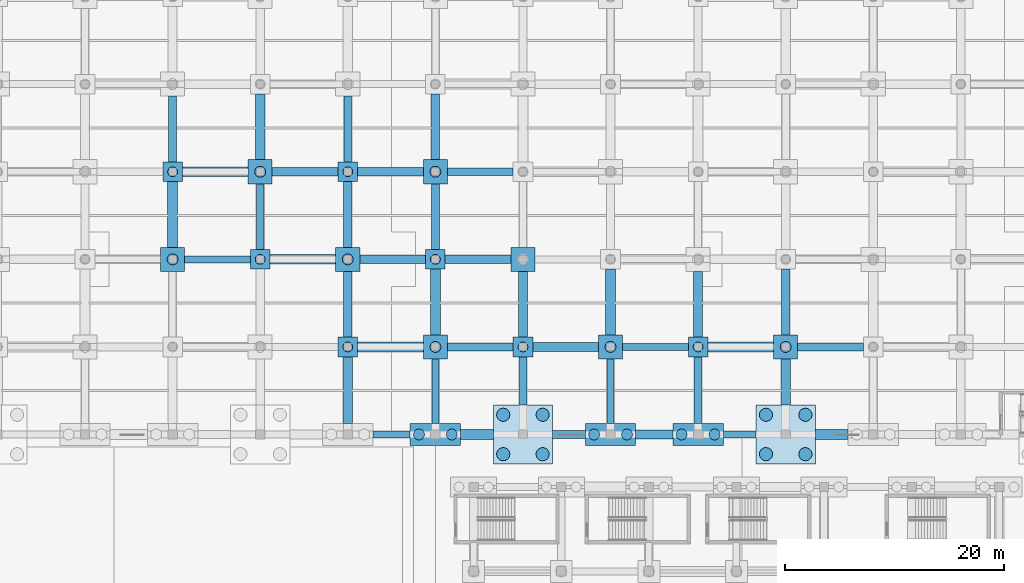
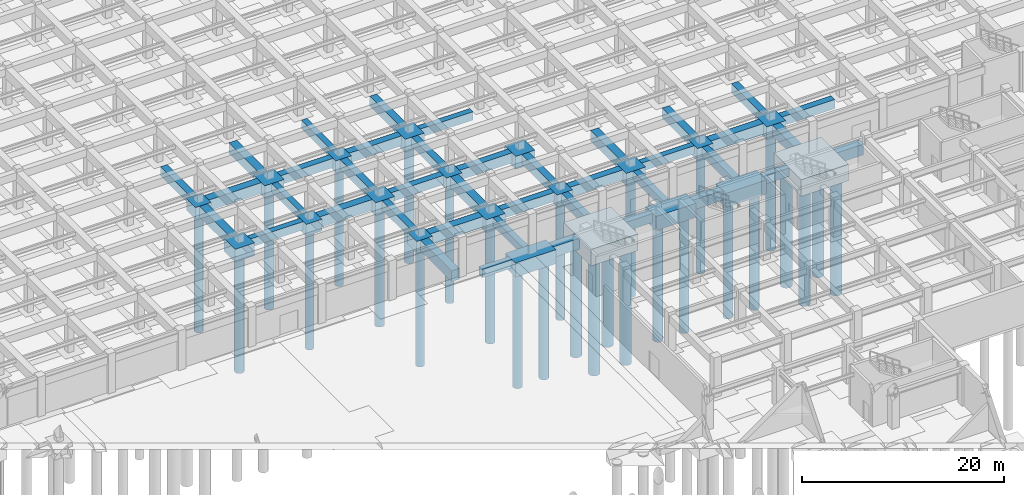
# One storey, part 9 of 48: 60 footings, 28 piles.
"""IFC4 building model written with IfcOpenShell, lengths in metres."""

from ifc_helpers import new_model, si_unit, direction, frame, origin, origin_2d, place, context, subcontext, project, spatial, polyline, rectangle, circle, outline, extrude, material, layer, layer_set, material_profile, profile_set, type_object, element, save


model = new_model("IFC4")

# Units and contexts
model_context = context("Model", 3, precision=1e-05, world=origin(), true_north=direction((0.0, 1.0)))
body_context = subcontext(model_context, "Body", "Model", "MODEL_VIEW")
ifc_project = project(units=[si_unit("LENGTHUNIT", "METRE"), si_unit("AREAUNIT", "SQUARE_METRE"), si_unit("VOLUMEUNIT", "CUBIC_METRE"), si_unit("PLANEANGLEUNIT", "RADIAN"), si_unit("MASSUNIT", "GRAM", prefix="KILO")], contexts=[model_context])

# Site, building, storey
site_placement = place(None, origin())
site = spatial("IfcSite", under=ifc_project, at=site_placement, CompositionType="ELEMENT")
building_placement = place(site_placement, origin())
building = spatial("IfcBuilding", under=site, at=building_placement, Name="Tlacozan Convention Centre", CompositionType="ELEMENT")
storey_placement = place(building_placement, frame((0.0, 0.0, -4.800048828125)))
storey = spatial("IfcBuildingStorey", under=building, at=storey_placement, Name="B01", CompositionType="ELEMENT", Elevation=-4.800048828125)

# Footings
ifc_material = material(Name="Concrete C35/45", Category="concrete")
ifc_layer_1 = layer(ifc_material, 1.0)
ifc_layer_set_1 = layer_set([ifc_layer_1], Name="Concrete C35/45")
footing_type_1 = type_object("IfcFootingType", Name="Foundation Tie Beam 650x1000", PredefinedType="FOOTING_BEAM", material=ifc_layer_set_1)
footing_1_placement = place(storey_placement, frame((0.0, 0.0, -1.0)))
element("IfcFooting", 1, at=footing_1_placement, inside=storey, type_object=footing_type_1, Name="Foundation Tie Beam X-137", PredefinedType="FOOTING_BEAM", context=body_context, shape_type="SweptSolid", body=[
    extrude(outline(polyline([(82.300048828125, 61.675048828125), (85.699951171875, 61.675048828125), (85.699951171875, 62.324951171875), (82.300048828125, 62.324951171875), (82.300048828125, 61.675048828125)])), origin(), (0.0, 0.0, 1.0), 1.0),
])
footing_2_placement = place(storey_placement, frame((0.0, 0.0, -1.0)))
element("IfcFooting", 2, at=footing_2_placement, inside=storey, type_object=footing_type_1, Name="Foundation Tie Beam X-141", PredefinedType="FOOTING_BEAM", context=body_context, shape_type="SweptSolid", body=[
    extrude(outline(polyline([(114.300048828125, 61.675048828125), (117.300048828125, 61.675048828125), (117.300048828125, 62.324951171875), (114.300048828125, 62.324951171875), (114.300048828125, 61.675048828125)])), origin(), (0.0, 0.0, 1.0), 1.0),
])
footing_3_placement = place(storey_placement, frame((0.0, 0.0, -1.0)))
element("IfcFooting", 3, at=footing_3_placement, inside=storey, type_object=footing_type_1, Name="Foundation Tie Beam X-161", PredefinedType="FOOTING_BEAM", context=body_context, shape_type="SweptSolid", body=[
    extrude(outline(polyline([(105.10009765625, 69.675048828125), (111.10009765625, 69.675048828125), (111.10009765625, 70.324951171875), (105.10009765625, 70.324951171875), (105.10009765625, 69.675048828125)])), origin(), (0.0, 0.0, 1.0), 1.0),
])
footing_4_placement = place(storey_placement, frame((0.0, 0.0, -1.0)))
element("IfcFooting", 4, at=footing_4_placement, inside=storey, type_object=footing_type_1, Name="Foundation Tie Beam X-177", PredefinedType="FOOTING_BEAM", context=body_context, shape_type="SweptSolid", body=[
    extrude(outline(polyline([(65.10009765625, 77.675048828125), (71.10009765625, 77.675048828125), (71.10009765625, 78.324951171875), (65.10009765625, 78.324951171875), (65.10009765625, 77.675048828125)])), origin(), (0.0, 0.0, 1.0), 1.0),
])
footing_5_placement = place(storey_placement, frame((0.0, 0.0, -1.0)))
element("IfcFooting", 5, at=footing_5_placement, inside=storey, type_object=footing_type_1, Name="Foundation Tie Beam X-201", PredefinedType="FOOTING_BEAM", context=body_context, shape_type="SweptSolid", body=[
    extrude(outline(polyline([(89.10009765625, 85.675048828125), (95.10009765625, 85.675048828125), (95.10009765625, 86.324951171875), (89.10009765625, 86.324951171875), (89.10009765625, 85.675048828125)])), origin(), (0.0, 0.0, 1.0), 1.0),
])
footing_6_placement = place(storey_placement, frame((0.0, 0.0, -1.0)))
element("IfcFooting", 6, at=footing_6_placement, inside=storey, type_object=footing_type_1, Name="Foundation Tie Beam Y-433", PredefinedType="FOOTING_BEAM", context=body_context, shape_type="SweptSolid", body=[
    extrude(outline(polyline([(71.675048828125, 78.89990234375), (72.324951171875, 78.89990234375), (72.324951171875, 84.89990234375), (71.675048828125, 84.89990234375), (71.675048828125, 78.89990234375)])), origin(), (0.0, 0.0, 1.0), 1.0),
])
footing_7_placement = place(storey_placement, frame((0.0, 0.0, -1.0)))
element("IfcFooting", 7, at=footing_7_placement, inside=storey, type_object=footing_type_1, Name="Foundation Tie Beam Y-445", PredefinedType="FOOTING_BEAM", context=body_context, shape_type="SweptSolid", body=[
    extrude(outline(polyline([(79.675048828125, 86.89990234375), (80.324951171875, 86.89990234375), (80.324951171875, 92.89990234375), (79.675048828125, 92.89990234375), (79.675048828125, 86.89990234375)])), origin(), (0.0, 0.0, 1.0), 1.0),
])
footing_8_placement = place(storey_placement, frame((0.0, 0.0, -1.0)))
element("IfcFooting", 8, at=footing_8_placement, inside=storey, type_object=footing_type_1, Name="Foundation Tie Beam Y-453", PredefinedType="FOOTING_BEAM", context=body_context, shape_type="SweptSolid", body=[
    extrude(outline(polyline([(87.675048828125, 63.0), (88.324951171875, 63.0), (88.324951171875, 68.89990234375), (87.675048828125, 68.89990234375), (87.675048828125, 63.0)])), origin(), (0.0, 0.0, 1.0), 1.0),
])
footing_9_placement = place(storey_placement, frame((0.0, 0.0, -1.0)))
element("IfcFooting", 9, at=footing_9_placement, inside=storey, type_object=footing_type_1, Name="Foundation Tie Beam Y-481", PredefinedType="FOOTING_BEAM", context=body_context, shape_type="SweptSolid", body=[
    extrude(outline(polyline([(103.675048828125, 63.0), (104.324951171875, 63.0), (104.324951171875, 68.89990234375), (103.675048828125, 68.89990234375), (103.675048828125, 63.0)])), origin(), (0.0, 0.0, 1.0), 1.0),
])
ifc_layer_2 = layer(ifc_material, 1.10009765625)
ifc_layer_set_2 = layer_set([ifc_layer_2], Name="Concrete C35/45")
footing_type_2 = type_object("IfcFootingType", Name="Foundation Tie Beam 750x1100", PredefinedType="FOOTING_BEAM", material=ifc_layer_set_2)
footing_10_placement = place(storey_placement, frame((0.0, 0.0, -1.099853515625)))
element("IfcFooting", 10, at=footing_10_placement, inside=storey, type_object=footing_type_2, Name="Foundation Tie Beam X-139", PredefinedType="FOOTING_BEAM", context=body_context, shape_type="SweptSolid", body=[
    extrude(outline(polyline([(98.699951171875, 61.625), (101.699951171875, 61.625), (101.699951171875, 62.375), (98.699951171875, 62.375), (98.699951171875, 61.625)])), origin(), (0.0, 0.0, 1.0), 1.099853515625),
])
footing_11_placement = place(storey_placement, frame((0.0, 0.0, -1.099853515625)))
element("IfcFooting", 11, at=footing_11_placement, inside=storey, type_object=footing_type_2, Name="Foundation Tie Beam X-159", PredefinedType="FOOTING_BEAM", context=body_context, shape_type="SweptSolid", body=[
    extrude(outline(polyline([(89.10009765625, 69.625), (95.10009765625, 69.625), (95.10009765625, 70.375), (89.10009765625, 70.375), (89.10009765625, 69.625)])), origin(), (0.0, 0.0, 1.0), 1.099853515625),
])
footing_12_placement = place(storey_placement, frame((0.0, 0.0, -1.099853515625)))
element("IfcFooting", 12, at=footing_12_placement, inside=storey, type_object=footing_type_2, Name="Foundation Tie Beam X-163", PredefinedType="FOOTING_BEAM", context=body_context, shape_type="SweptSolid", body=[
    extrude(outline(polyline([(121.10009765625, 69.625), (127.10009765625, 69.625), (127.10009765625, 70.375), (121.10009765625, 70.375), (121.10009765625, 69.625)])), origin(), (0.0, 0.0, 1.0), 1.099853515625),
])
footing_13_placement = place(storey_placement, frame((0.0, 0.0, -1.099853515625)))
element("IfcFooting", 13, at=footing_13_placement, inside=storey, type_object=footing_type_2, Name="Foundation Tie Beam X-179", PredefinedType="FOOTING_BEAM", context=body_context, shape_type="SweptSolid", body=[
    extrude(outline(polyline([(81.10009765625, 77.625), (87.10009765625, 77.625), (87.10009765625, 78.375), (81.10009765625, 78.375), (81.10009765625, 77.625)])), origin(), (0.0, 0.0, 1.0), 1.099853515625),
])
footing_14_placement = place(storey_placement, frame((0.0, 0.0, -1.099853515625)))
element("IfcFooting", 14, at=footing_14_placement, inside=storey, type_object=footing_type_2, Name="Foundation Tie Beam X-199", PredefinedType="FOOTING_BEAM", context=body_context, shape_type="SweptSolid", body=[
    extrude(outline(polyline([(73.10009765625, 85.625), (79.10009765625, 85.625), (79.10009765625, 86.375), (73.10009765625, 86.375), (73.10009765625, 85.625)])), origin(), (0.0, 0.0, 1.0), 1.099853515625),
])
footing_15_placement = place(storey_placement, frame((0.0, 0.0, -1.099853515625)))
element("IfcFooting", 15, at=footing_15_placement, inside=storey, type_object=footing_type_2, Name="Foundation Tie Beam Y-423", PredefinedType="FOOTING_BEAM", context=body_context, shape_type="SweptSolid", body=[
    extrude(outline(polyline([(63.625, 86.89990234375), (64.375, 86.89990234375), (64.375, 92.89990234375), (63.625, 92.89990234375), (63.625, 86.89990234375)])), origin(), (0.0, 0.0, 1.0), 1.099853515625),
])
footing_16_placement = place(storey_placement, frame((0.0, 0.0, -1.099853515625)))
element("IfcFooting", 16, at=footing_16_placement, inside=storey, type_object=footing_type_2, Name="Foundation Tie Beam Y-443", PredefinedType="FOOTING_BEAM", context=body_context, shape_type="SweptSolid", body=[
    extrude(outline(polyline([(79.625, 70.89990234375), (80.375, 70.89990234375), (80.375, 76.89990234375), (79.625, 76.89990234375), (79.625, 70.89990234375)])), origin(), (0.0, 0.0, 1.0), 1.099853515625),
])
footing_17_placement = place(storey_placement, frame((0.0, 0.0, -1.099853515625)))
element("IfcFooting", 17, at=footing_17_placement, inside=storey, type_object=footing_type_2, Name="Foundation Tie Beam Y-455", PredefinedType="FOOTING_BEAM", context=body_context, shape_type="SweptSolid", body=[
    extrude(outline(polyline([(87.625, 78.89990234375), (88.375, 78.89990234375), (88.375, 84.89990234375), (87.625, 84.89990234375), (87.625, 78.89990234375)])), origin(), (0.0, 0.0, 1.0), 1.099853515625),
])
footing_18_placement = place(storey_placement, frame((0.0, 0.0, -1.099853515625)))
element("IfcFooting", 18, at=footing_18_placement, inside=storey, type_object=footing_type_2, Name="Foundation Tie Beam Y-467", PredefinedType="FOOTING_BEAM", context=body_context, shape_type="SweptSolid", body=[
    extrude(outline(polyline([(95.625, 64.699951171875), (96.375, 64.699951171875), (96.375, 69.10009765625), (95.625, 69.10009765625), (95.625, 64.699951171875)])), origin(), (0.0, 0.0, 1.0), 1.099853515625),
])
footing_19_placement = place(storey_placement, frame((0.0, 0.0, -1.099853515625)))
element("IfcFooting", 19, at=footing_19_placement, inside=storey, type_object=footing_type_2, Name="Foundation Tie Beam Y-495", PredefinedType="FOOTING_BEAM", context=body_context, shape_type="SweptSolid", body=[
    extrude(outline(polyline([(111.625, 63.0), (112.375, 63.0), (112.375, 69.10009765625), (111.625, 69.10009765625), (111.625, 63.0)])), origin(), (0.0, 0.0, 1.0), 1.099853515625),
])
footing_20_placement = place(storey_placement, frame((0.0, 0.0, -1.099853515625)))
element("IfcFooting", 20, at=footing_20_placement, inside=storey, type_object=footing_type_2, Name="Foundation Tie Beam Y-507", PredefinedType="FOOTING_BEAM", context=body_context, shape_type="SweptSolid", body=[
    extrude(outline(polyline([(119.625, 71.10009765625), (120.375, 71.10009765625), (120.375, 77.10009765625), (119.625, 77.10009765625), (119.625, 71.10009765625)])), origin(), (0.0, 0.0, 1.0), 1.099853515625),
])
ifc_layer_3 = layer(ifc_material, 1.199951171875)
ifc_layer_set_3 = layer_set([ifc_layer_3], Name="Concrete C35/45")
footing_type_3 = type_object("IfcFootingType", Name="Foundation Tie Beam 800x1200", PredefinedType="FOOTING_BEAM", material=ifc_layer_set_3)
footing_21_placement = place(storey_placement, frame((0.0, 0.0, -1.199951171875)))
element("IfcFooting", 21, at=footing_21_placement, inside=storey, type_object=footing_type_3, Name="Foundation Tie Beam X-140", PredefinedType="FOOTING_BEAM", context=body_context, shape_type="SweptSolid", body=[
    extrude(outline(polyline([(106.300048828125, 61.60009765625), (109.699951171875, 61.60009765625), (109.699951171875, 62.39990234375), (106.300048828125, 62.39990234375), (106.300048828125, 61.60009765625)])), origin(), (0.0, 0.0, 1.0), 1.199951171875),
])
footing_22_placement = place(storey_placement, frame((0.0, 0.0, -1.199951171875)))
element("IfcFooting", 22, at=footing_22_placement, inside=storey, type_object=footing_type_3, Name="Foundation Tie Beam X-160", PredefinedType="FOOTING_BEAM", context=body_context, shape_type="SweptSolid", body=[
    extrude(outline(polyline([(96.89990234375, 69.60009765625), (102.89990234375, 69.60009765625), (102.89990234375, 70.39990234375), (96.89990234375, 70.39990234375), (96.89990234375, 69.60009765625)])), origin(), (0.0, 0.0, 1.0), 1.199951171875),
])
footing_23_placement = place(storey_placement, frame((0.0, 0.0, -1.199951171875)))
element("IfcFooting", 23, at=footing_23_placement, inside=storey, type_object=footing_type_3, Name="Foundation Tie Beam X-180", PredefinedType="FOOTING_BEAM", context=body_context, shape_type="SweptSolid", body=[
    extrude(outline(polyline([(88.89990234375, 77.60009765625), (94.89990234375, 77.60009765625), (94.89990234375, 78.39990234375), (88.89990234375, 78.39990234375), (88.89990234375, 77.60009765625)])), origin(), (0.0, 0.0, 1.0), 1.199951171875),
])
footing_24_placement = place(storey_placement, frame((0.0, 0.0, -1.199951171875)))
element("IfcFooting", 24, at=footing_24_placement, inside=storey, type_object=footing_type_3, Name="Foundation Tie Beam X-200", PredefinedType="FOOTING_BEAM", context=body_context, shape_type="SweptSolid", body=[
    extrude(outline(polyline([(80.89990234375, 85.60009765625), (86.89990234375, 85.60009765625), (86.89990234375, 86.39990234375), (80.89990234375, 86.39990234375), (80.89990234375, 85.60009765625)])), origin(), (0.0, 0.0, 1.0), 1.199951171875),
])
footing_25_placement = place(storey_placement, frame((0.0, 0.0, -1.199951171875)))
element("IfcFooting", 25, at=footing_25_placement, inside=storey, type_object=footing_type_3, Name="Foundation Tie Beam Y-444", PredefinedType="FOOTING_BEAM", context=body_context, shape_type="SweptSolid", body=[
    extrude(outline(polyline([(79.60009765625, 79.10009765625), (80.39990234375, 79.10009765625), (80.39990234375, 85.10009765625), (79.60009765625, 85.10009765625), (79.60009765625, 79.10009765625)])), origin(), (0.0, 0.0, 1.0), 1.199951171875),
])
footing_26_placement = place(storey_placement, frame((0.0, 0.0, -1.199951171875)))
element("IfcFooting", 26, at=footing_26_placement, inside=storey, type_object=footing_type_3, Name="Foundation Tie Beam Y-456", PredefinedType="FOOTING_BEAM", context=body_context, shape_type="SweptSolid", body=[
    extrude(outline(polyline([(87.60009765625, 87.10009765625), (88.39990234375, 87.10009765625), (88.39990234375, 93.10009765625), (87.60009765625, 93.10009765625), (87.60009765625, 87.10009765625)])), origin(), (0.0, 0.0, 1.0), 1.199951171875),
])
footing_27_placement = place(storey_placement, frame((0.0, 0.0, -1.199951171875)))
element("IfcFooting", 27, at=footing_27_placement, inside=storey, type_object=footing_type_3, Name="Foundation Tie Beam Y-468", PredefinedType="FOOTING_BEAM", context=body_context, shape_type="SweptSolid", body=[
    extrude(outline(polyline([(95.60009765625, 70.89990234375), (96.39990234375, 70.89990234375), (96.39990234375, 76.89990234375), (95.60009765625, 76.89990234375), (95.60009765625, 70.89990234375)])), origin(), (0.0, 0.0, 1.0), 1.199951171875),
])
footing_28_placement = place(storey_placement, frame((0.0, 0.0, -1.199951171875)))
element("IfcFooting", 28, at=footing_28_placement, inside=storey, type_object=footing_type_3, Name="Foundation Tie Beam Y-496", PredefinedType="FOOTING_BEAM", context=body_context, shape_type="SweptSolid", body=[
    extrude(outline(polyline([(111.60009765625, 70.89990234375), (112.39990234375, 70.89990234375), (112.39990234375, 76.89990234375), (111.60009765625, 76.89990234375), (111.60009765625, 70.89990234375)])), origin(), (0.0, 0.0, 1.0), 1.199951171875),
])
ifc_layer_4 = layer(ifc_material, 1.300048828125)
ifc_layer_set_4 = layer_set([ifc_layer_4], Name="Concrete C35/45")
footing_type_4 = type_object("IfcFootingType", Name="Foundation Tie Beam 900x1300", PredefinedType="FOOTING_BEAM", material=ifc_layer_set_4)
footing_29_placement = place(storey_placement, frame((0.0, 0.0, -1.300048828125)))
element("IfcFooting", 29, at=footing_29_placement, inside=storey, type_object=footing_type_4, Name="Foundation Tie Beam X-138", PredefinedType="FOOTING_BEAM", context=body_context, shape_type="SweptSolid", body=[
    extrude(outline(polyline([(90.300048828125, 61.550048828125), (93.300048828125, 61.550048828125), (93.300048828125, 62.449951171875), (90.300048828125, 62.449951171875), (90.300048828125, 61.550048828125)])), origin(), (0.0, 0.0, 1.0), 1.300048828125),
])
footing_30_placement = place(storey_placement, frame((0.0, 0.0, -1.300048828125)))
element("IfcFooting", 30, at=footing_30_placement, inside=storey, type_object=footing_type_4, Name="Foundation Tie Beam X-142", PredefinedType="FOOTING_BEAM", context=body_context, shape_type="SweptSolid", body=[
    extrude(outline(polyline([(122.699951171875, 61.550048828125), (125.699951171875, 61.550048828125), (125.699951171875, 62.449951171875), (122.699951171875, 62.449951171875), (122.699951171875, 61.550048828125)])), origin(), (0.0, 0.0, 1.0), 1.300048828125),
])
footing_31_placement = place(storey_placement, frame((0.0, 0.0, -1.300048828125)))
element("IfcFooting", 31, at=footing_31_placement, inside=storey, type_object=footing_type_4, Name="Foundation Tie Beam X-158", PredefinedType="FOOTING_BEAM", context=body_context, shape_type="SweptSolid", body=[
    extrude(outline(polyline([(80.89990234375, 69.550048828125), (86.89990234375, 69.550048828125), (86.89990234375, 70.449951171875), (80.89990234375, 70.449951171875), (80.89990234375, 69.550048828125)])), origin(), (0.0, 0.0, 1.0), 1.300048828125),
])
footing_32_placement = place(storey_placement, frame((0.0, 0.0, -1.300048828125)))
element("IfcFooting", 32, at=footing_32_placement, inside=storey, type_object=footing_type_4, Name="Foundation Tie Beam X-162", PredefinedType="FOOTING_BEAM", context=body_context, shape_type="SweptSolid", body=[
    extrude(outline(polyline([(112.89990234375, 69.550048828125), (118.89990234375, 69.550048828125), (118.89990234375, 70.449951171875), (112.89990234375, 70.449951171875), (112.89990234375, 69.550048828125)])), origin(), (0.0, 0.0, 1.0), 1.300048828125),
])
footing_33_placement = place(storey_placement, frame((0.0, 0.0, -1.300048828125)))
element("IfcFooting", 33, at=footing_33_placement, inside=storey, type_object=footing_type_4, Name="Foundation Tie Beam X-178", PredefinedType="FOOTING_BEAM", context=body_context, shape_type="SweptSolid", body=[
    extrude(outline(polyline([(72.89990234375, 77.550048828125), (78.89990234375, 77.550048828125), (78.89990234375, 78.449951171875), (72.89990234375, 78.449951171875), (72.89990234375, 77.550048828125)])), origin(), (0.0, 0.0, 1.0), 1.300048828125),
])
footing_34_placement = place(storey_placement, frame((0.0, 0.0, -1.300048828125)))
element("IfcFooting", 34, at=footing_34_placement, inside=storey, type_object=footing_type_4, Name="Foundation Tie Beam X-198", PredefinedType="FOOTING_BEAM", context=body_context, shape_type="SweptSolid", body=[
    extrude(outline(polyline([(64.89990234375, 85.550048828125), (70.89990234375, 85.550048828125), (70.89990234375, 86.449951171875), (64.89990234375, 86.449951171875), (64.89990234375, 85.550048828125)])), origin(), (0.0, 0.0, 1.0), 1.300048828125),
])
footing_35_placement = place(storey_placement, frame((0.0, 0.0, -1.300048828125)))
element("IfcFooting", 35, at=footing_35_placement, inside=storey, type_object=footing_type_4, Name="Foundation Tie Beam Y-422", PredefinedType="FOOTING_BEAM", context=body_context, shape_type="SweptSolid", body=[
    extrude(outline(polyline([(63.550048828125, 79.10009765625), (64.449951171875, 79.10009765625), (64.449951171875, 85.10009765625), (63.550048828125, 85.10009765625), (63.550048828125, 79.10009765625)])), origin(), (0.0, 0.0, 1.0), 1.300048828125),
])
footing_36_placement = place(storey_placement, frame((0.0, 0.0, -1.300048828125)))
element("IfcFooting", 36, at=footing_36_placement, inside=storey, type_object=footing_type_4, Name="Foundation Tie Beam Y-434", PredefinedType="FOOTING_BEAM", context=body_context, shape_type="SweptSolid", body=[
    extrude(outline(polyline([(71.550048828125, 87.10009765625), (72.449951171875, 87.10009765625), (72.449951171875, 93.10009765625), (71.550048828125, 93.10009765625), (71.550048828125, 87.10009765625)])), origin(), (0.0, 0.0, 1.0), 1.300048828125),
])
footing_37_placement = place(storey_placement, frame((0.0, 0.0, -1.300048828125)))
element("IfcFooting", 37, at=footing_37_placement, inside=storey, type_object=footing_type_4, Name="Foundation Tie Beam Y-442", PredefinedType="FOOTING_BEAM", context=body_context, shape_type="SweptSolid", body=[
    extrude(outline(polyline([(79.550048828125, 63.0), (80.449951171875, 63.0), (80.449951171875, 69.10009765625), (79.550048828125, 69.10009765625), (79.550048828125, 63.0)])), origin(), (0.0, 0.0, 1.0), 1.300048828125),
])
footing_38_placement = place(storey_placement, frame((0.0, 0.0, -1.300048828125)))
element("IfcFooting", 38, at=footing_38_placement, inside=storey, type_object=footing_type_4, Name="Foundation Tie Beam Y-454", PredefinedType="FOOTING_BEAM", context=body_context, shape_type="SweptSolid", body=[
    extrude(outline(polyline([(87.550048828125, 71.10009765625), (88.449951171875, 71.10009765625), (88.449951171875, 77.10009765625), (87.550048828125, 77.10009765625), (87.550048828125, 71.10009765625)])), origin(), (0.0, 0.0, 1.0), 1.300048828125),
])
footing_39_placement = place(storey_placement, frame((0.0, 0.0, -1.300048828125)))
element("IfcFooting", 39, at=footing_39_placement, inside=storey, type_object=footing_type_4, Name="Foundation Tie Beam Y-482", PredefinedType="FOOTING_BEAM", context=body_context, shape_type="SweptSolid", body=[
    extrude(outline(polyline([(103.550048828125, 71.10009765625), (104.449951171875, 71.10009765625), (104.449951171875, 77.10009765625), (103.550048828125, 77.10009765625), (103.550048828125, 71.10009765625)])), origin(), (0.0, 0.0, 1.0), 1.300048828125),
])
footing_40_placement = place(storey_placement, frame((0.0, 0.0, -1.300048828125)))
element("IfcFooting", 40, at=footing_40_placement, inside=storey, type_object=footing_type_4, Name="Foundation Tie Beam Y-506", PredefinedType="FOOTING_BEAM", context=body_context, shape_type="SweptSolid", body=[
    extrude(outline(polyline([(119.550048828125, 64.699951171875), (120.449951171875, 64.699951171875), (120.449951171875, 68.89990234375), (119.550048828125, 68.89990234375), (119.550048828125, 64.699951171875)])), origin(), (0.0, 0.0, 1.0), 1.300048828125),
])
ifc_layer_5 = layer(ifc_material, 1.39990234375)
ifc_layer_set_5 = layer_set([ifc_layer_5], Name="Concrete C35/45")
footing_type_5 = type_object("IfcFootingType", Name="Pile Cap 1P 1800x1800x1400", PredefinedType="PILE_CAP", material=ifc_layer_set_5)
for number, where, z_axis, x_axis, name in (
    (41, (64.0, 86.0, -1.39990234375), (0.0, 0.0, 1.0), (1.0, 0.0, 0.0), "Pile Cap PC-01 (127)"),
    (42, (72.0, 78.0, -1.39990234375), (0.0, 0.0, 1.0), (1.0, 0.0, 0.0), "Pile Cap PC-01 (139)"),
    (43, (80.0, 70.0, -1.39990234375), (0.0, 0.0, 1.0), (1.0, 0.0, 0.0), "Pile Cap PC-01 (151)"),
    (44, (80.0, 86.0, -1.39990234375), (0.0, 0.0, 1.0), (1.0, 0.0, 0.0), "Pile Cap PC-01 (153)"),
    (45, (88.0, 78.0, -1.39990234375), (0.0, 0.0, 1.0), (1.0, 0.0, 0.0), "Pile Cap PC-01 (165)"),
    (46, (96.0, 70.0, -1.39990234375), (0.0, 0.0, 1.0), (1.0, 0.0, 0.0), "Pile Cap PC-01 (181)"),
    (47, (112.0, 70.0, -1.39990234375), (0.0, 0.0, 1.0), (1.0, 0.0, 0.0), "Pile Cap PC-01 (215)"),
):
    element("IfcFooting", number, at=place(storey_placement, frame(where, z_axis=z_axis, x_axis=x_axis)), inside=storey, type_object=footing_type_5, Name=name, PredefinedType="PILE_CAP", context=body_context, shape_type="SweptSolid", body=[
        extrude(rectangle(XDim=1.800048828125, YDim=1.800048828125, at=origin_2d()), origin(), (0.0, 0.0, 1.0), 1.39990234375),
    ])
ifc_layer_6 = layer(ifc_material, 1.550048828125)
ifc_layer_set_6 = layer_set([ifc_layer_6], Name="Concrete C35/45")
footing_type_6 = type_object("IfcFootingType", Name="Pile Cap 1P 2200x2200x1550", PredefinedType="PILE_CAP", material=ifc_layer_set_6)
for number, where, z_axis, x_axis, name in (
    (48, (64.0, 78.0, -1.5498046875), (0.0, 0.0, 1.0), (1.0, 0.0, 0.0), "Pile Cap PC-09 (126)"),
    (49, (72.0, 86.0, -1.5498046875), (0.0, 0.0, 1.0), (1.0, 0.0, 0.0), "Pile Cap PC-09 (140)"),
    (50, (80.0, 78.0, -1.5498046875), (0.0, 0.0, 1.0), (1.0, 0.0, 0.0), "Pile Cap PC-09 (152)"),
    (51, (88.0, 70.0, -1.5498046875), (0.0, 0.0, 1.0), (1.0, 0.0, 0.0), "Pile Cap PC-09 (164)"),
    (52, (88.0, 86.0, -1.5498046875), (0.0, 0.0, 1.0), (1.0, 0.0, 0.0), "Pile Cap PC-09 (166)"),
    (53, (96.0, 78.0, -1.5498046875), (0.0, 0.0, 1.0), (1.0, 0.0, 0.0), "Pile Cap PC-09 (182)"),
    (54, (104.0, 70.0, -1.5498046875), (0.0, 0.0, 1.0), (1.0, 0.0, 0.0), "Pile Cap PC-09 (198)"),
    (55, (120.0, 70.0, -1.5498046875), (0.0, 0.0, 1.0), (1.0, 0.0, 0.0), "Pile Cap PC-09 (228)"),
):
    element("IfcFooting", number, at=place(storey_placement, frame(where, z_axis=z_axis, x_axis=x_axis)), inside=storey, type_object=footing_type_6, Name=name, PredefinedType="PILE_CAP", context=body_context, shape_type="SweptSolid", body=[
        extrude(rectangle(XDim=2.199951171875, YDim=2.199951171875, at=origin_2d()), origin(), (0.0, 0.0, 1.0), 1.550048828125),
    ])
ifc_layer_7 = layer(ifc_material, 1.699951171875)
ifc_layer_set_7 = layer_set([ifc_layer_7], Name="Concrete C35/45")
footing_type_7 = type_object("IfcFootingType", Name="Pile Cap 2P 4600x2000x1700", PredefinedType="PILE_CAP", material=ifc_layer_set_7)
for number, where, z_axis, x_axis, name in (
    (56, (88.0, 62.0, -1.69970703125), (0.0, 0.0, 1.0), (1.0, 0.0, 0.0), "Pile Cap PC-05 (163)"),
    (57, (104.0, 62.0, -1.69970703125), (0.0, 0.0, 1.0), (1.0, 0.0, 0.0), "Pile Cap PC-05 (197)"),
    (58, (112.0, 62.0, -1.69970703125), (0.0, 0.0, 1.0), (1.0, 0.0, 0.0), "Pile Cap PC-05 (214)"),
):
    element("IfcFooting", number, at=place(storey_placement, frame(where, z_axis=z_axis, x_axis=x_axis)), inside=storey, type_object=footing_type_7, Name=name, PredefinedType="PILE_CAP", context=body_context, shape_type="SweptSolid", body=[
        extrude(rectangle(XDim=4.60009765625, YDim=2.0, at=origin_2d()), origin(), (0.0, 0.0, 1.0), 1.699951171875),
    ])
ifc_layer_8 = layer(ifc_material, 2.0)
ifc_layer_set_8 = layer_set([ifc_layer_8], Name="Concrete C35/45")
footing_type_8 = type_object("IfcFootingType", Name="Pile Cap 4P 5400x5400x2000", PredefinedType="PILE_CAP", material=ifc_layer_set_8)
for number, where, z_axis, x_axis, name in (
    (59, (96.0, 62.0, -2.0), (0.0, 0.0, 1.0), (1.0, 0.0, 0.0), "Pile Cap PC-08 (180)"),
    (60, (120.0, 62.0, -2.0), (0.0, 0.0, 1.0), (1.0, 0.0, 0.0), "Pile Cap PC-08 (227)"),
):
    element("IfcFooting", number, at=place(storey_placement, frame(where, z_axis=z_axis, x_axis=x_axis)), inside=storey, type_object=footing_type_8, Name=name, PredefinedType="PILE_CAP", context=body_context, shape_type="SweptSolid", body=[
        extrude(rectangle(XDim=5.39990234375, YDim=5.39990234375, at=origin_2d()), origin(), (0.0, 0.0, 1.0), 2.0),
    ])

# Piles
ifc_material_profile_1 = material_profile(ifc_material, circle(Radius=0.5, at=origin_2d()), Name="PILE D1000")
ifc_profile_set_1 = profile_set([ifc_material_profile_1], Name="Concrete C35/45")
pile_type_1 = type_object("IfcPileType", Name="Pile D1000 Bored", PredefinedType="BORED", material=ifc_profile_set_1)
for number, where, z_axis, x_axis, name in (
    (61, (64.0, 78.0, -1.429931640625), (0.0, 0.0, -1.0), (1.0, 0.0, 0.0), "Bored Pile 248"),
    (62, (72.0, 86.0, -1.429931640625), (0.0, 0.0, -1.0), (1.0, 0.0, 0.0), "Bored Pile 276"),
    (63, (80.0, 78.0, -1.429931640625), (0.0, 0.0, -1.0), (1.0, 0.0, 0.0), "Bored Pile 302"),
):
    element("IfcPile", number, at=place(storey_placement, frame(where, z_axis=z_axis, x_axis=x_axis)), inside=storey, type_object=pile_type_1, Name=name, PredefinedType="BORED", context=body_context, shape_type="SweptSolid", body=[
        extrude(circle(Radius=0.5, at=origin_2d()), origin(), (0.0, 0.0, 1.0), 14.27001953125),
    ])
for number, where, z_axis, x_axis, name in (
    (64, (86.5, 62.0, -1.579833984375), (0.0, 0.0, -1.0), (1.0, 0.0, 0.0), "Bored Pile 324"),
    (65, (89.5, 62.0, -1.579833984375), (0.0, 0.0, -1.0), (1.0, 0.0, 0.0), "Bored Pile 325"),
):
    element("IfcPile", number, at=place(storey_placement, frame(where, z_axis=z_axis, x_axis=x_axis)), inside=storey, type_object=pile_type_1, Name=name, PredefinedType="BORED", context=body_context, shape_type="SweptSolid", body=[
        extrude(circle(Radius=0.5, at=origin_2d()), origin(), (0.0, 0.0, 1.0), 14.1201171875),
    ])
for number, where, z_axis, x_axis, name in (
    (66, (88.0, 70.0, -1.429931640625), (0.0, 0.0, -1.0), (1.0, 0.0, 0.0), "Bored Pile 326"),
    (67, (88.0, 86.0, -1.429931640625), (0.0, 0.0, -1.0), (1.0, 0.0, 0.0), "Bored Pile 328"),
):
    element("IfcPile", number, at=place(storey_placement, frame(where, z_axis=z_axis, x_axis=x_axis)), inside=storey, type_object=pile_type_1, Name=name, PredefinedType="BORED", context=body_context, shape_type="SweptSolid", body=[
        extrude(circle(Radius=0.5, at=origin_2d()), origin(), (0.0, 0.0, 1.0), 14.27001953125),
    ])
for number, where, z_axis, x_axis, name in (
    (68, (102.5, 62.0, -1.579833984375), (0.0, 0.0, -1.0), (1.0, 0.0, 0.0), "Bored Pile 390"),
    (69, (105.5, 62.0, -1.579833984375), (0.0, 0.0, -1.0), (1.0, 0.0, 0.0), "Bored Pile 391"),
):
    element("IfcPile", number, at=place(storey_placement, frame(where, z_axis=z_axis, x_axis=x_axis)), inside=storey, type_object=pile_type_1, Name=name, PredefinedType="BORED", context=body_context, shape_type="SweptSolid", body=[
        extrude(circle(Radius=0.5, at=origin_2d()), origin(), (0.0, 0.0, 1.0), 14.1201171875),
    ])
pile_1_placement = place(storey_placement, frame((104.0, 70.0, -1.429931640625), z_axis=(0.0, 0.0, -1.0), x_axis=(1.0, 0.0, 0.0)))
element("IfcPile", 70, at=pile_1_placement, inside=storey, type_object=pile_type_1, Name="Bored Pile 392", PredefinedType="BORED", context=body_context, shape_type="SweptSolid", body=[
    extrude(circle(Radius=0.5, at=origin_2d()), origin(), (0.0, 0.0, 1.0), 14.27001953125),
])
for number, where, z_axis, x_axis, name in (
    (71, (110.5, 62.0, -1.579833984375), (0.0, 0.0, -1.0), (1.0, 0.0, 0.0), "Bored Pile 423"),
    (72, (113.5, 62.0, -1.579833984375), (0.0, 0.0, -1.0), (1.0, 0.0, 0.0), "Bored Pile 424"),
):
    element("IfcPile", number, at=place(storey_placement, frame(where, z_axis=z_axis, x_axis=x_axis)), inside=storey, type_object=pile_type_1, Name=name, PredefinedType="BORED", context=body_context, shape_type="SweptSolid", body=[
        extrude(circle(Radius=0.5, at=origin_2d()), origin(), (0.0, 0.0, 1.0), 14.1201171875),
    ])
pile_2_placement = place(storey_placement, frame((120.0, 70.0, -1.429931640625), z_axis=(0.0, 0.0, -1.0), x_axis=(1.0, 0.0, 0.0)))
element("IfcPile", 73, at=pile_2_placement, inside=storey, type_object=pile_type_1, Name="Bored Pile 444", PredefinedType="BORED", context=body_context, shape_type="SweptSolid", body=[
    extrude(circle(Radius=0.5, at=origin_2d()), origin(), (0.0, 0.0, 1.0), 14.27001953125),
])
ifc_material_profile_2 = material_profile(ifc_material, circle(Radius=0.60009765625, at=origin_2d()), Name="PILE D1200")
ifc_profile_set_2 = profile_set([ifc_material_profile_2], Name="Concrete C35/45")
pile_type_2 = type_object("IfcPileType", Name="Pile D1200 Bored", PredefinedType="BORED", material=ifc_profile_set_2)
for number, where, z_axis, x_axis, name in (
    (74, (94.199951171875, 60.199951171875, -1.8798828125), (0.0, 0.0, -1.0), (1.0, 0.0, 0.0), "Bored Pile 355"),
    (75, (97.800048828125, 60.199951171875, -1.8798828125), (0.0, 0.0, -1.0), (1.0, 0.0, 0.0), "Bored Pile 356"),
    (76, (94.199951171875, 63.800048828125, -1.8798828125), (0.0, 0.0, -1.0), (1.0, 0.0, 0.0), "Bored Pile 357"),
    (77, (97.800048828125, 63.800048828125, -1.8798828125), (0.0, 0.0, -1.0), (1.0, 0.0, 0.0), "Bored Pile 358"),
    (78, (118.199951171875, 60.199951171875, -1.8798828125), (0.0, 0.0, -1.0), (1.0, 0.0, 0.0), "Bored Pile 440"),
    (79, (121.800048828125, 60.199951171875, -1.8798828125), (0.0, 0.0, -1.0), (1.0, 0.0, 0.0), "Bored Pile 441"),
    (80, (118.199951171875, 63.800048828125, -1.8798828125), (0.0, 0.0, -1.0), (1.0, 0.0, 0.0), "Bored Pile 442"),
    (81, (121.800048828125, 63.800048828125, -1.8798828125), (0.0, 0.0, -1.0), (1.0, 0.0, 0.0), "Bored Pile 443"),
):
    element("IfcPile", number, at=place(storey_placement, frame(where, z_axis=z_axis, x_axis=x_axis)), inside=storey, type_object=pile_type_2, Name=name, PredefinedType="BORED", context=body_context, shape_type="SweptSolid", body=[
        extrude(circle(Radius=0.60009765625, at=origin_2d()), origin(), (0.0, 0.0, 1.0), 13.820068359375),
    ])
ifc_material_profile_3 = material_profile(ifc_material, circle(Radius=0.449951171875, at=origin_2d()), Name="PILE D900")
ifc_profile_set_3 = profile_set([ifc_material_profile_3], Name="Concrete C35/45")
pile_type_3 = type_object("IfcPileType", Name="Pile D900 Bored", PredefinedType="BORED", material=ifc_profile_set_3)
for number, where, z_axis, x_axis, name in (
    (82, (64.0, 86.0, -1.280029296875), (0.0, 0.0, -1.0), (1.0, 0.0, 0.0), "Bored Pile 249"),
    (83, (72.0, 78.0, -1.280029296875), (0.0, 0.0, -1.0), (1.0, 0.0, 0.0), "Bored Pile 275"),
    (84, (80.0, 70.0, -1.280029296875), (0.0, 0.0, -1.0), (1.0, 0.0, 0.0), "Bored Pile 301"),
    (85, (80.0, 86.0, -1.280029296875), (0.0, 0.0, -1.0), (1.0, 0.0, 0.0), "Bored Pile 303"),
    (86, (88.0, 78.0, -1.280029296875), (0.0, 0.0, -1.0), (1.0, 0.0, 0.0), "Bored Pile 327"),
    (87, (96.0, 70.0, -1.280029296875), (0.0, 0.0, -1.0), (1.0, 0.0, 0.0), "Bored Pile 359"),
    (88, (112.0, 70.0, -1.280029296875), (0.0, 0.0, -1.0), (1.0, 0.0, 0.0), "Bored Pile 425"),
):
    element("IfcPile", number, at=place(storey_placement, frame(where, z_axis=z_axis, x_axis=x_axis)), inside=storey, type_object=pile_type_3, Name=name, PredefinedType="BORED", context=body_context, shape_type="SweptSolid", body=[
        extrude(circle(Radius=0.449951171875, at=origin_2d()), origin(), (0.0, 0.0, 1.0), 14.419921875),
    ])

save(model, "model.ifc")
